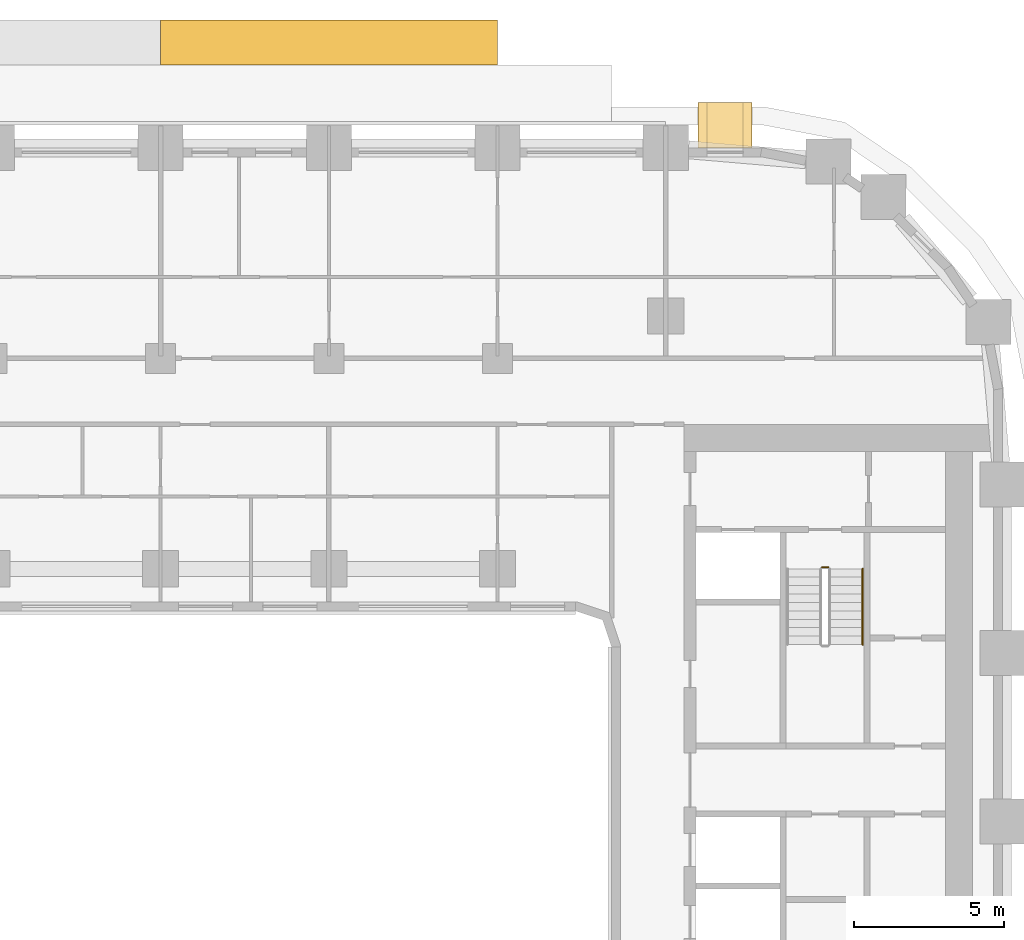
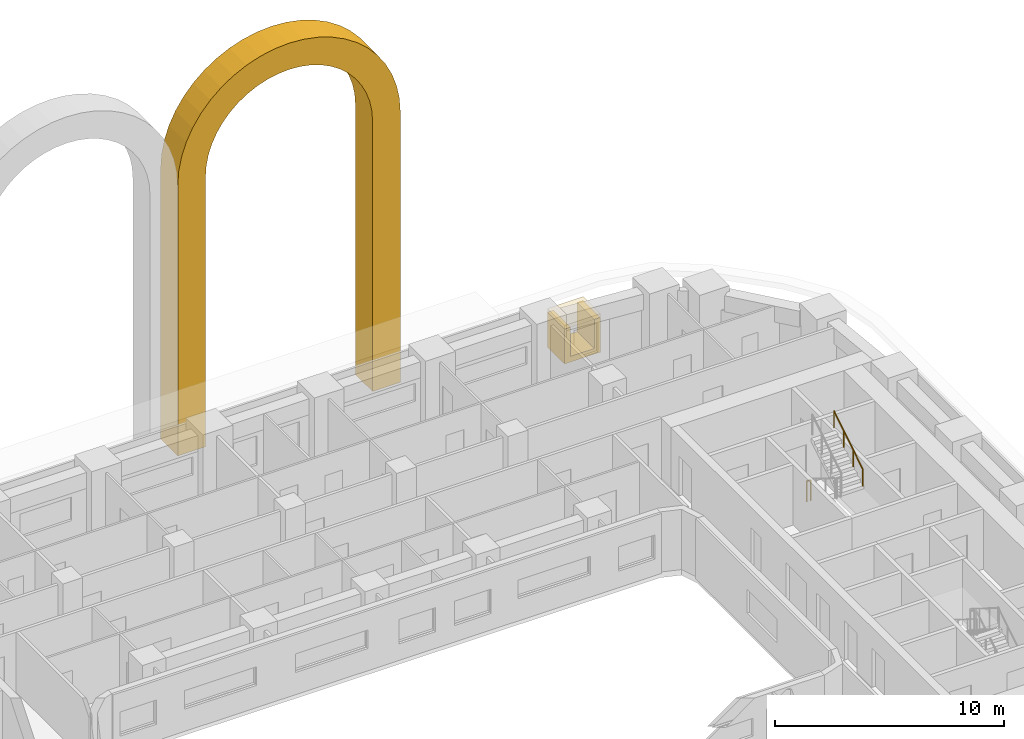
# One storey, part 21 of 21: 3 coverings, 2 railings.
"""IFC4 building model written with IfcOpenShell, lengths in metres."""

from ifc_helpers import new_model, si_unit, direction, frame, origin, origin_2d, place, context, subcontext, project, spatial, polyline, rectangle, circle, outline, extrude, material, layer, layer_set, type_object, element, save


model = new_model("IFC4")

# Units and contexts
model_context = context("Model", 3, precision=1e-05, world=origin(), true_north=direction((0.0, 1.0)))
body_context = subcontext(model_context, "Body", "Model", "MODEL_VIEW")
ifc_project = project(units=[si_unit("LENGTHUNIT", "METRE"), si_unit("AREAUNIT", "SQUARE_METRE"), si_unit("VOLUMEUNIT", "CUBIC_METRE"), si_unit("PLANEANGLEUNIT", "RADIAN"), si_unit("MASSUNIT", "GRAM", prefix="KILO")], contexts=[model_context])

# Site, building, storey
site_placement = place(None, origin())
site = spatial("IfcSite", under=ifc_project, at=site_placement, CompositionType="ELEMENT")
building_placement = place(site_placement, origin())
building = spatial("IfcBuilding", under=site, at=building_placement, Name="Kiln Ring Residences", CompositionType="ELEMENT")
storey_placement = place(building_placement, frame((0.0, 0.0, 51.5)))
storey = spatial("IfcBuildingStorey", under=building, at=storey_placement, Name="L12", CompositionType="ELEMENT", Elevation=51.5)

# Covering
ifc_material_1 = material(Name="Brick masonry, dark clay brick", Category="masonry")
ifc_layer_1 = layer(ifc_material_1, 1.39990234375)
ifc_layer_set_1 = layer_set([ifc_layer_1], Name="ARCH SURROUND 1500")
covering_type_1 = type_object("IfcCoveringType", Name="ARCH SURROUND 1500", PredefinedType="CLADDING", material=ifc_layer_set_1)
covering_1_placement = place(storey_placement, frame((0.0, 25.89990234375, 0.0), z_axis=(0.0, 0.0, 1.0), x_axis=(1.0, 0.0, 0.0)))
element("IfcCovering", 1, at=covering_1_placement, inside=storey, type_object=covering_type_1, Name="ARCH SURROUND Z1 N2.2", PredefinedType="CLADDING", context=body_context, shape_type="SweptSolid", body=[
    extrude(outline(polyline([(0.0, 0.0), (0.0, 14.39990234375), (0.0478515625, 15.130859375), (0.19091796875, 15.849365234375), (0.42626953125, 16.54296875), (0.750244140625, 17.199951171875), (1.1572265625, 17.80908203125), (1.64013671875, 18.35986328125), (2.19091796875, 18.8427734375), (2.800048828125, 19.249755859375), (3.45703125, 19.57373046875), (4.150634765625, 19.80908203125), (4.869140625, 19.9521484375), (5.60009765625, 20.0), (6.330810546875, 19.9521484375), (7.04931640625, 19.80908203125), (7.742919921875, 19.57373046875), (8.39990234375, 19.249755859375), (9.009033203125, 18.8427734375), (9.559814453125, 18.35986328125), (10.042724609375, 17.80908203125), (10.44970703125, 17.199951171875), (10.773681640625, 16.54296875), (11.00927734375, 15.849365234375), (11.152099609375, 15.130859375), (11.199951171875, 14.39990234375), (11.199951171875, 0.0), (9.800048828125, 0.0), (9.800048828125, 14.39990234375), (9.76416015625, 14.9482421875), (9.656982421875, 15.487060546875), (9.480224609375, 16.00732421875), (9.2373046875, 16.5), (8.93212890625, 16.956787109375), (8.56982421875, 17.369873046875), (8.15673828125, 17.732177734375), (7.699951171875, 18.037353515625), (7.207275390625, 18.2802734375), (6.68701171875, 18.456787109375), (6.148193359375, 18.564208984375), (5.60009765625, 18.60009765625), (5.0517578125, 18.564208984375), (4.512939453125, 18.456787109375), (3.99267578125, 18.2802734375), (3.5, 18.037353515625), (3.043212890625, 17.732177734375), (2.630126953125, 17.369873046875), (2.267822265625, 16.956787109375), (1.962646484375, 16.5), (1.7197265625, 16.00732421875), (1.543212890625, 15.487060546875), (1.435791015625, 14.9482421875), (1.39990234375, 14.39990234375), (1.39990234375, 0.0), (0.0, 0.0)])), frame((0.0, 0.75, 0.0), z_axis=(0.0, -1.0, 0.0), x_axis=(1.0, 0.0, 0.0)), (0.0, 0.0, 1.0), 1.5),
])

# Railings
ifc_material_2 = material(Name="Stainless steel", Category="steel")
railing_type_1 = type_object("IfcRailingType", Name="CORE-STAIR-GUARD", PredefinedType="GUARDRAIL", material=ifc_material_2)
railing_1_placement = place(storey_placement, frame((22.0, 8.449951171875, 0.0)))
element("IfcRailing", 2, at=railing_1_placement, inside=storey, type_object=railing_type_1, Name="L12 E-STN stair guard 4", PredefinedType="GUARDRAIL", context=body_context, shape_type="SweptSolid", body=[
    extrude(circle(Radius=0.02392578125, at=origin_2d()), frame((0.0, 0.0, 1.076171875), z_axis=(1.0, 0.0, 0.0), x_axis=(0.0, 1.0, 0.0)), (0.0, 0.0, 1.0), 0.199951171875),
    extrude(circle(Radius=0.02099609375, at=origin_2d()), origin(), (0.0, 0.0, 1.0), 1.052001953125),
    extrude(circle(Radius=0.02099609375, at=origin_2d()), frame((0.199951171875, 0.0, 0.0)), (0.0, 0.0, 1.0), 1.052001953125),
])
ifc_material_3 = material(Name="Stainless steel", Category="steel")
railing_type_2 = type_object("IfcRailingType", Name="CORE-STAIR-HANDRAIL", PredefinedType="HANDRAIL", material=ifc_material_3)
railing_2_placement = place(storey_placement, frame((23.35009765625, 5.8798828125, 1.925048828125)))
element("IfcRailing", 3, at=railing_2_placement, inside=storey, type_object=railing_type_2, Name="L12 E-STN stair handrail 2", PredefinedType="HANDRAIL", context=body_context, shape_type="SweptSolid", body=[
    extrude(circle(Radius=0.02392578125, at=origin_2d()), frame((0.0, 0.0, 0.8759765625), z_axis=(0.0, 0.848007534815, 0.529984170421), x_axis=(-1.0, 0.0, 0.0)), (0.0, 0.0, 1.0), 2.9716796875),
    extrude(circle(Radius=0.02099609375, at=origin_2d()), origin(), (0.0, 0.0, 1.0), 0.851806640625),
    extrude(circle(Radius=0.02099609375, at=origin_2d()), frame((0.0, 0.840087890625, 0.52490234375)), (0.0, 0.0, 1.0), 0.851806640625),
    extrude(circle(Radius=0.02099609375, at=origin_2d()), frame((0.0, 1.679931640625, 1.050048828125)), (0.0, 0.0, 1.0), 0.851806640625),
    extrude(circle(Radius=0.02099609375, at=origin_2d()), frame((0.0, 2.52001953125, 1.574951171875)), (0.0, 0.0, 1.0), 0.851806640625),
])

# Coverings
ifc_material_4 = material(Name="Brick masonry, dark clay brick", Category="masonry")
ifc_layer_2 = layer(ifc_material_4, 0.300048828125)
ifc_layer_set_2 = layer_set([ifc_layer_2], Name="FRAME CHEEKS AND SILL 1500")
covering_type_2 = type_object("IfcCoveringType", Name="FRAME CHEEKS AND SILL 1500", PredefinedType="CLADDING", material=ifc_layer_set_2)
covering_2_placement = place(storey_placement, frame((19.675048828125, 23.14990234375, 0.300048828125), z_axis=(0.0, 0.0, 1.0), x_axis=(-1.0, 0.0, 0.0)))
element("IfcCovering", 4, at=covering_2_placement, inside=storey, type_object=covering_type_2, Name="FRAME L12", PredefinedType="CLADDING", context=body_context, shape_type="SweptSolid", body=[
    extrude(outline(polyline([(0.0, 0.0), (1.800048828125, 0.0), (1.800048828125, 1.849853515625), (1.5009765625, 1.849853515625), (1.5, 0.300048828125), (0.300048828125, 0.300048828125), (0.299072265625, 1.849853515625), (0.0, 1.849853515625), (0.0, 0.0)])), frame((0.0, 0.75, 0.0), z_axis=(0.0, -1.0, 0.0), x_axis=(1.0, 0.0, 0.0)), (0.0, 0.0, 1.0), 1.5),
])
ifc_material_5 = material(Name="Brick masonry, dark clay brick", Category="masonry")
ifc_layer_3 = layer(ifc_material_5, 0.199951171875)
ifc_layer_set_3 = layer_set([ifc_layer_3], Name="FRAME HEAD 1500")
covering_type_3 = type_object("IfcCoveringType", Name="FRAME HEAD 1500", PredefinedType="CLADDING", material=ifc_layer_set_3)
covering_3_placement = place(storey_placement, frame((18.77490234375, 23.14990234375, 2.14990234375), z_axis=(0.0, 0.0, 1.0), x_axis=(-1.0, 0.0, 0.0)))
element("IfcCovering", 5, at=covering_3_placement, inside=storey, type_object=covering_type_3, Name="FRAME HEAD L12", PredefinedType="CLADDING", context=body_context, shape_type="SweptSolid", body=[
    extrude(rectangle(XDim=1.800048828125, YDim=1.5, at=origin_2d()), origin(), (0.0, 0.0, 1.0), 0.199951171875),
])

save(model, "model.ifc")
